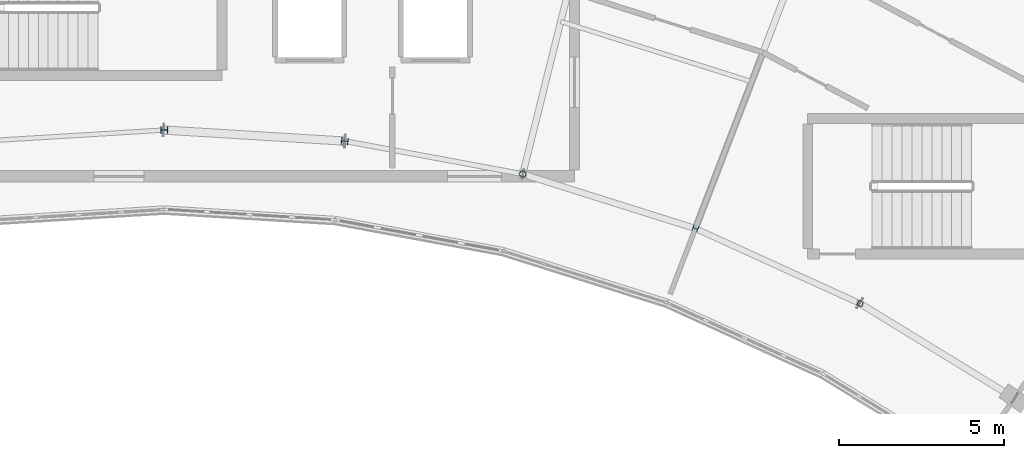
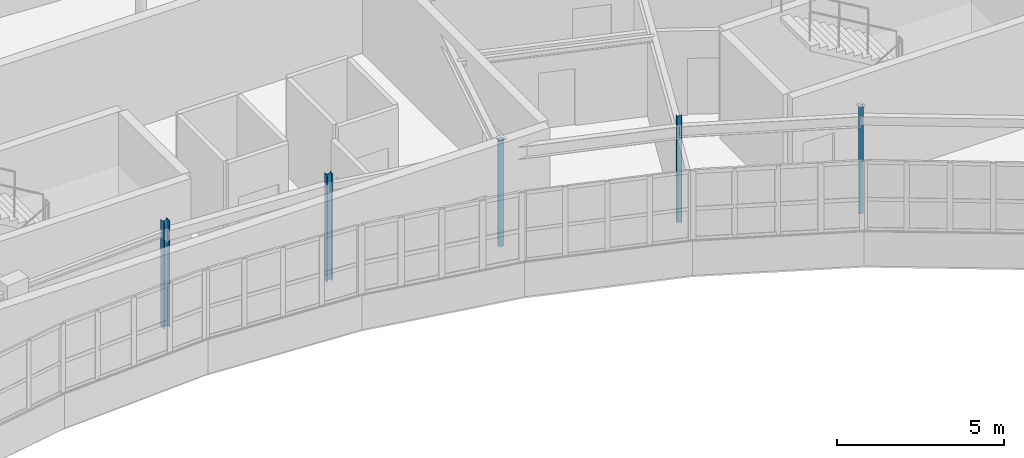
# One storey, part 9 of 65: 5 columns.
"""IFC4 building model written with IfcOpenShell, lengths in metres."""

from ifc_helpers import new_model, si_unit, direction, frame, origin, origin_2d, place, context, subcontext, project, spatial, hollow_rectangle, hollow_circle, i_section, extrude, material, material_profile, profile_set, type_object, element, save


model = new_model("IFC4")

# Units and contexts
model_context = context("Model", 3, precision=1e-05, world=origin(), true_north=direction((0.0, 1.0)))
body_context = subcontext(model_context, "Body", "Model", "MODEL_VIEW")
ifc_project = project(units=[si_unit("LENGTHUNIT", "METRE"), si_unit("AREAUNIT", "SQUARE_METRE"), si_unit("VOLUMEUNIT", "CUBIC_METRE"), si_unit("PLANEANGLEUNIT", "RADIAN"), si_unit("MASSUNIT", "GRAM", prefix="KILO")], contexts=[model_context])

# Site, building, storey
site_placement = place(None, origin())
site = spatial("IfcSite", under=ifc_project, at=site_placement, CompositionType="ELEMENT")
building_placement = place(site_placement, origin())
building = spatial("IfcBuilding", under=site, at=building_placement, Name="Tarnwether General Hospital", CompositionType="ELEMENT")
storey_placement = place(building_placement, frame((0.0, 0.0, 22.199951171875)))
storey = spatial("IfcBuildingStorey", under=building, at=storey_placement, Name="L05", CompositionType="ELEMENT", Elevation=22.199951171875)

# Columns
ifc_material_1 = material(Name="Steel Grade 350 (350 MPa)", Category="steel")
ifc_material_profile_1 = material_profile(ifc_material_1, i_section(OverallWidth=0.205078125, OverallDepth=0.2099609375, WebThickness=0.00927734375, FlangeThickness=0.01416015625, at=origin_2d()), Name="200UC59.5")
ifc_profile_set_1 = profile_set([ifc_material_profile_1], Name="Steel Grade 350 (350 MPa)")
column_type_1 = type_object("IfcColumnType", Name="COL-25", PredefinedType="COLUMN", material=ifc_profile_set_1)
column_1_placement = place(storey_placement, frame((92.0, 107.800048828125, 0.0), z_axis=(0.0, 0.0, 1.0), x_axis=(0.0, 1.0, 0.0)))
element("IfcColumn", 1, at=column_1_placement, inside=storey, type_object=column_type_1, Name="Column COLG-L05-9200_10780", PredefinedType="COLUMN", context=body_context, shape_type="SweptSolid", body=[
    extrude(i_section(OverallWidth=0.205078125, OverallDepth=0.2099609375, WebThickness=0.00927734375, FlangeThickness=0.01416015625, at=origin_2d()), origin(), (0.0, 0.0, 1.0), 3.900146484375),
])
ifc_material_2 = material(Name="Steel Grade 350 (350 MPa)", Category="steel")
ifc_material_profile_2 = material_profile(ifc_material_2, i_section(OverallWidth=0.202880859375, OverallDepth=0.202880859375, WebThickness=0.00732421875, FlangeThickness=0.010986328125, at=origin_2d()), Name="200UC46.2")
ifc_profile_set_2 = profile_set([ifc_material_profile_2], Name="Steel Grade 350 (350 MPa)")
column_type_2 = type_object("IfcColumnType", Name="COL-27", PredefinedType="COLUMN", material=ifc_profile_set_2)
column_2_placement = place(storey_placement, frame((97.4599609375, 107.466064453125, 0.0), z_axis=(0.0, 0.0, 1.0), x_axis=(0.121869343405, 0.992546151641, 0.0)))
element("IfcColumn", 2, at=column_2_placement, inside=storey, type_object=column_type_2, Name="Column COLG-L05-9746_10747", PredefinedType="COLUMN", context=body_context, shape_type="SweptSolid", body=[
    extrude(i_section(OverallWidth=0.202880859375, OverallDepth=0.202880859375, WebThickness=0.00732421875, FlangeThickness=0.010986328125, at=origin_2d()), origin(), (0.0, 0.0, 1.0), 3.900146484375),
])
ifc_material_3 = material(Name="Steel Grade C350L0 (350 MPa)", Category="steel")
ifc_material_profile_3 = material_profile(ifc_material_3, hollow_circle(Radius=0.096923828125, WallThickness=0.008056640625, at=origin_2d()), Name="CHS193.7x8.0")
ifc_profile_set_3 = profile_set([ifc_material_profile_3], Name="Steel Grade C350L0 (350 MPa)")
column_type_3 = type_object("IfcColumnType", Name="COL-29", PredefinedType="COLUMN", material=ifc_profile_set_3)
column_3_placement = place(storey_placement, frame((102.837890625, 106.468994140625, 0.0), z_axis=(0.0, 0.0, 1.0), x_axis=(0.2419218956, 0.970295726276, 0.0)))
element("IfcColumn", 3, at=column_3_placement, inside=storey, type_object=column_type_3, Name="Column COLG-L05-10284_10647", PredefinedType="COLUMN", context=body_context, shape_type="SweptSolid", body=[
    extrude(hollow_circle(Radius=0.096923828125, WallThickness=0.008056640625, at=origin_2d()), origin(), (0.0, 0.0, 1.0), 3.900146484375),
])
ifc_material_4 = material(Name="Steel Grade 350 (350 MPa)", Category="steel")
ifc_material_profile_4 = material_profile(ifc_material_4, i_section(OverallWidth=0.153076171875, OverallDepth=0.157958984375, WebThickness=0.006591796875, FlangeThickness=0.009521484375, at=origin_2d()), Name="150UC30.0")
ifc_profile_set_4 = profile_set([ifc_material_profile_4], Name="Steel Grade 350 (350 MPa)")
column_type_4 = type_object("IfcColumnType", Name="COL-31", PredefinedType="COLUMN", material=ifc_profile_set_4)
column_4_placement = place(storey_placement, frame((108.054931640625, 104.823974609375, 0.0), z_axis=(0.0, 0.0, 1.0), x_axis=(0.358367949545, 0.933580426497, 0.0)))
element("IfcColumn", 4, at=column_4_placement, inside=storey, type_object=column_type_4, Name="Column COLG-L05-10806_10482", PredefinedType="COLUMN", context=body_context, shape_type="SweptSolid", body=[
    extrude(i_section(OverallWidth=0.153076171875, OverallDepth=0.157958984375, WebThickness=0.006591796875, FlangeThickness=0.009521484375, at=origin_2d()), origin(), (0.0, 0.0, 1.0), 3.900146484375),
])
ifc_material_5 = material(Name="Steel Grade C350L0 (350 MPa)", Category="steel")
ifc_material_profile_5 = material_profile(ifc_material_5, hollow_rectangle(XDim=0.14990234375, YDim=0.14990234375, WallThickness=0.008056640625, at=origin_2d()), Name="SHS150x150x8")
ifc_profile_set_5 = profile_set([ifc_material_profile_5], Name="Steel Grade C350L0 (350 MPa)")
column_type_5 = type_object("IfcColumnType", Name="COL-33", PredefinedType="COLUMN", material=ifc_profile_set_5)
column_5_placement = place(storey_placement, frame((113.031982421875, 102.555908203125, 0.0), z_axis=(0.0, 0.0, 1.0), x_axis=(0.469471562786, 0.882947592859, 0.0)))
element("IfcColumn", 5, at=column_5_placement, inside=storey, type_object=column_type_5, Name="Column COLG-L05-11303_10256", PredefinedType="COLUMN", context=body_context, shape_type="SweptSolid", body=[
    extrude(hollow_rectangle(XDim=0.14990234375, YDim=0.14990234375, WallThickness=0.008056640625, at=origin_2d()), origin(), (0.0, 0.0, 1.0), 3.900146484375),
])

save(model, "model.ifc")
